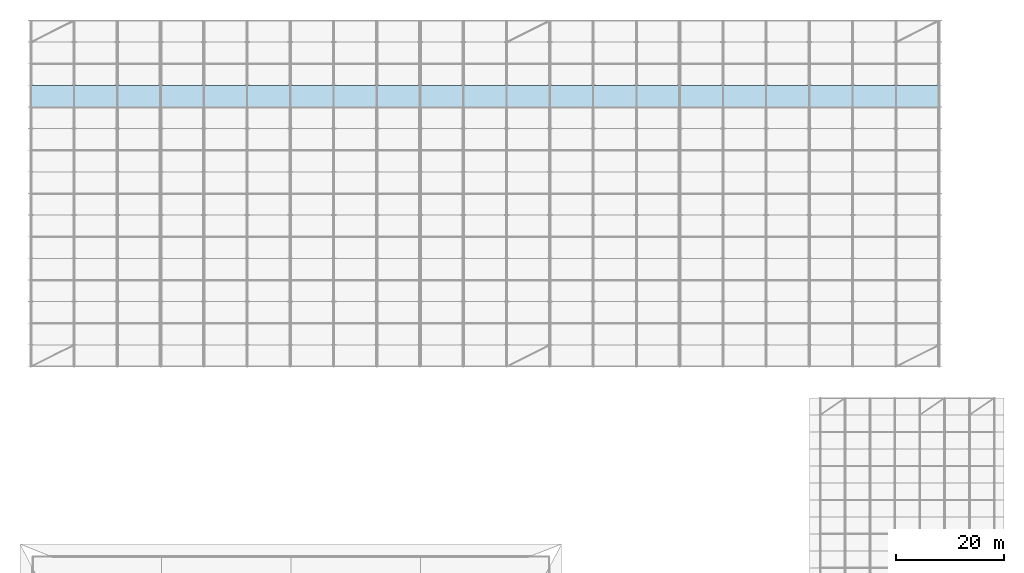
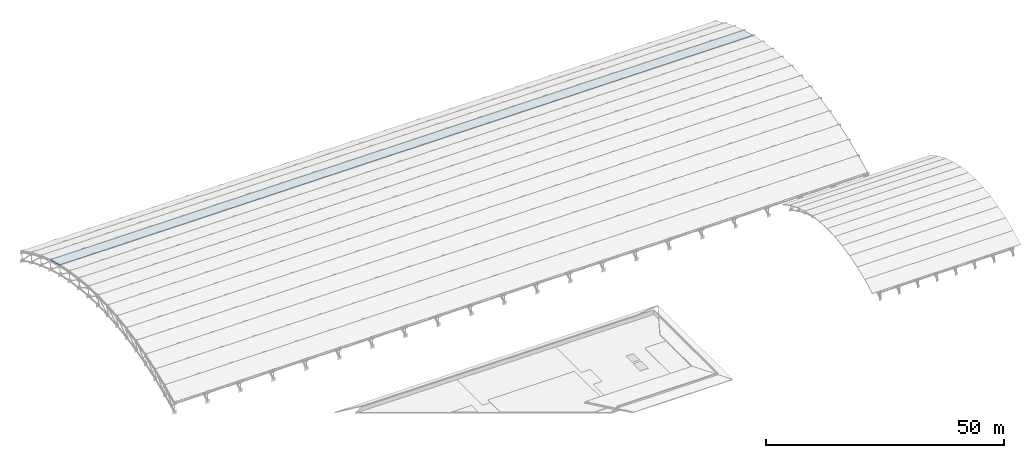
# One storey, part 86 of 98: 1 slab.
"""IFC4 building model written with IfcOpenShell, lengths in metres."""

from ifc_helpers import new_model, si_unit, direction, frame, origin, place, context, subcontext, project, spatial, polyline, outline, extrude, material, layer, layer_set, type_object, element, save


model = new_model("IFC4")

# Units and contexts
model_context = context("Model", 3, precision=1e-05, world=origin(), true_north=direction((0.0, 1.0)))
body_context = subcontext(model_context, "Body", "Model", "MODEL_VIEW")
ifc_project = project(units=[si_unit("LENGTHUNIT", "METRE"), si_unit("AREAUNIT", "SQUARE_METRE"), si_unit("VOLUMEUNIT", "CUBIC_METRE"), si_unit("PLANEANGLEUNIT", "RADIAN"), si_unit("MASSUNIT", "GRAM", prefix="KILO")], contexts=[model_context])

# Site, building, storey
site_placement = place(None, origin())
site = spatial("IfcSite", under=ifc_project, at=site_placement, CompositionType="ELEMENT")
building_placement = place(site_placement, origin())
building = spatial("IfcBuilding", under=site, at=building_placement, Name="Tlacozan Convention Centre", CompositionType="ELEMENT")
storey_placement = place(building_placement, frame((0.0, 0.0, 25.800048828125)))
storey = spatial("IfcBuildingStorey", under=building, at=storey_placement, Name="Roof", CompositionType="ELEMENT", Elevation=25.800048828125)

# Slab
ifc_material = material(Name="Concrete C40/50", Category="concrete")
ifc_layer = layer(ifc_material, 0.179931640625)
ifc_layer_set = layer_set([ifc_layer], Name="Concrete C40/50")
slab_type = type_object("IfcSlabType", Name="Exhibition Arched Roof Deck 180", PredefinedType="ROOF", material=ifc_layer_set)
slab_placement = place(storey_placement, frame((0.0, 110.0, -4.19921875), z_axis=(0.0, 0.26485005134, 0.964289609145), x_axis=(1.0, 0.0, 0.0)))
element("IfcSlab", 1, at=slab_placement, inside=storey, type_object=slab_type, Name="V2A Arched Roof Facet Slab 13", PredefinedType="ROOF", context=body_context, shape_type="SweptSolid", body=[
    extrude(outline(polyline([(0.0, 0.0), (168.0, 0.0), (168.0, 4.148131393374812), (0.0, 4.148131393374812), (0.0, 0.0)])), origin(), (0.0, 0.0, -1.0), 0.179931640625),
])

save(model, "model.ifc")
